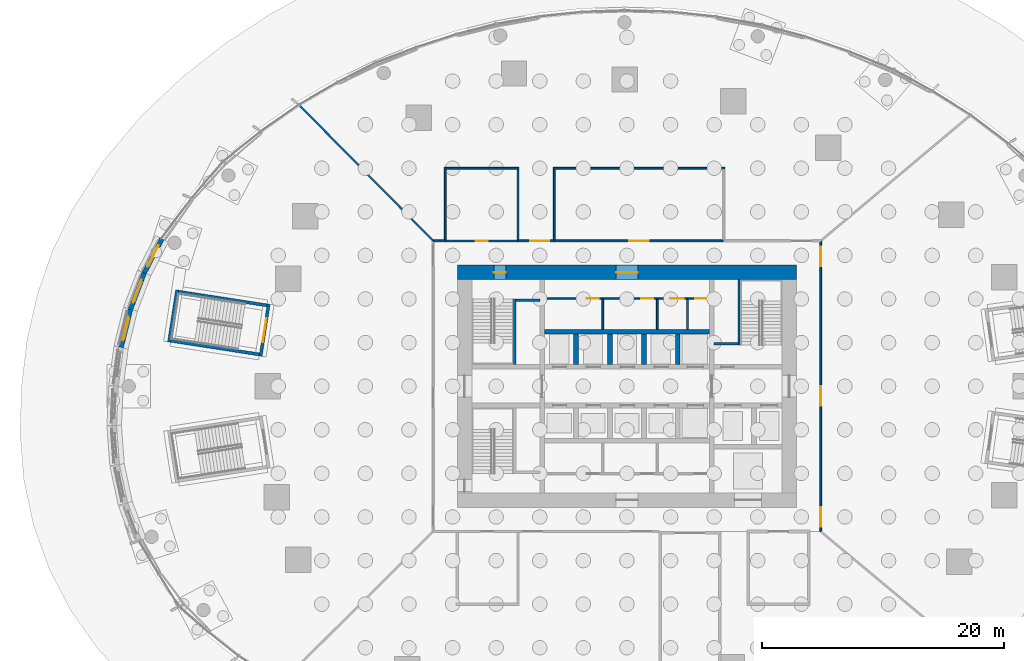
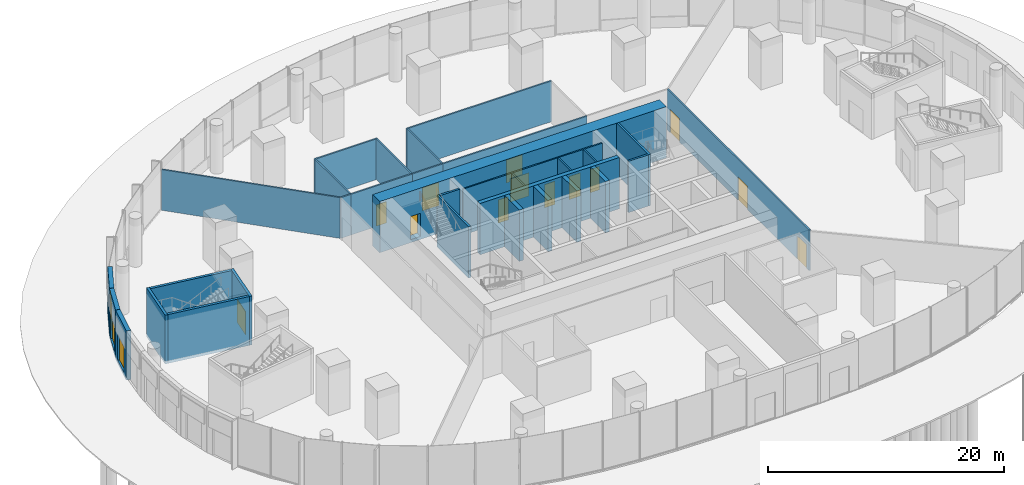
# One storey, part 14 of 29: 32 walls, 16 doors, 16 openings.
"""IFC4 building model written with IfcOpenShell, lengths in metres."""

import ifcopenshell
import ifcopenshell.guid

model = None  # the IFC model being written
_history = None  # IfcOwnerHistory: only IFC2X3 demands one
_inside = {}  # id of a spatial element -> (the spatial element, [elements in it])
_under = {}  # id of a project, library or spatial element -> (it, [spatial elements below it])
_declared = {}  # id of a project -> (the project, [libraries it declares])
_typed = {}  # id of a type object -> (the type object, [elements of that type])
_made_of = {}  # id of a material, layer set ... -> (it, [elements and type objects made of it])


def new_model(schema):
    """Start an empty IFC model of exactly this schema.

    Asked for "IFC4X3", IfcOpenShell would pick the latest addendum, in which some entities
    have other attributes; the version numbers below select the first issue.
    IFC2X3 requires an IfcOwnerHistory on every rooted entity: one is made here for all.
    """
    global model, _history
    if schema == "IFC4X3":
        model = ifcopenshell.file(schema_version=(4, 3, 0, 0))
    else:
        model = ifcopenshell.file(schema=schema)
    _inside.clear()
    _under.clear()
    _declared.clear()
    _typed.clear()
    _made_of.clear()
    _history = None
    if model.schema == "IFC2X3":
        org = make("IfcOrganization", Name="unknown")
        user = make(
            "IfcPersonAndOrganization",
            ThePerson=make("IfcPerson", FamilyName="unknown"),
            TheOrganization=org,
        )
        app = make(
            "IfcApplication",
            ApplicationDeveloper=org,
            Version="unknown",
            ApplicationFullName="unknown",
            ApplicationIdentifier="unknown",
        )
        _history = make(
            "IfcOwnerHistory",
            OwningUser=user,
            OwningApplication=app,
            ChangeAction="ADDED",
            CreationDate=0,
        )
    return model


def make(cls, **values):
    """One entity of the class cls with the attributes given. An attribute that is None is left unset."""
    return model.create_entity(
        cls, **{name: value for name, value in values.items() if value is not None}
    )


def rooted(cls, **values):
    """An entity with a GlobalId (a new one), such as an element, a storey or a relation."""
    return make(cls, GlobalId=ifcopenshell.guid.new(), OwnerHistory=_history, **values)


def si_unit(unit_type, name, prefix=None):
    """IfcSIUnit, for example si_unit("LENGTHUNIT", "METRE", prefix="MILLI")."""
    return make("IfcSIUnit", UnitType=unit_type, Prefix=prefix, Name=name)


def assignment(units):
    """IfcUnitAssignment: the units of a project."""
    return None if units is None else make("IfcUnitAssignment", Units=units)


def point(xyz):
    """IfcCartesianPoint."""
    return None if xyz is None else make("IfcCartesianPoint", Coordinates=xyz)


def direction(xyz):
    """IfcDirection."""
    return None if xyz is None else make("IfcDirection", DirectionRatios=xyz)


def frame(location, z_axis=None, x_axis=None):
    """IfcAxis2Placement3D, a coordinate frame: its origin and axes. An axis left out is left unset."""
    return make(
        "IfcAxis2Placement3D",
        Location=point(location),
        Axis=direction(z_axis),
        RefDirection=direction(x_axis),
    )


def frame_2d(location, x_axis=None):
    """IfcAxis2Placement2D, a coordinate frame in the plane: its origin and x axis."""
    return make(
        "IfcAxis2Placement2D", Location=point(location), RefDirection=direction(x_axis)
    )


def origin():
    """The frame at (0, 0, 0) with its axes left unset."""
    return frame((0.0, 0.0, 0.0))


def place(relative_to, where):
    """IfcLocalPlacement: puts the frame where relative to a parent placement (None: the world)."""
    return make(
        "IfcLocalPlacement", PlacementRelTo=relative_to, RelativePlacement=where
    )


def context(
    kind, dimensions, precision=None, world=None, true_north=None, identifier=None
):
    """IfcGeometricRepresentationContext, for example the 3D "Model" context."""
    return make(
        "IfcGeometricRepresentationContext",
        ContextIdentifier=identifier,
        ContextType=kind,
        CoordinateSpaceDimension=dimensions,
        Precision=precision,
        WorldCoordinateSystem=world,
        TrueNorth=true_north,
    )


def subcontext(parent, identifier, kind, view, scale=None):
    """IfcGeometricRepresentationSubContext, for example "Body" below "Model"."""
    return make(
        "IfcGeometricRepresentationSubContext",
        ContextIdentifier=identifier,
        ContextType=kind,
        ParentContext=parent,
        TargetScale=scale,
        TargetView=view,
    )


def project(units=None, contexts=None):
    """IfcProject with its units and contexts."""
    return rooted(
        "IfcProject",
        Name="project",
        RepresentationContexts=contexts,
        UnitsInContext=assignment(units),
    )


def spatial(cls, under=None, at=None, **own):
    """A site, building, storey or space (cls), placed at a placement, below another one or the project."""
    s = rooted(cls, ObjectPlacement=at, **own)
    if under is not None:
        _under.setdefault(under.id(), (under, []))[1].append(s)
    return s


def profile(cls, at=None, kind="AREA", **sizes):
    """A parametric profile (cls). Its sizes go by their IFC names, for example OverallWidth=200.0."""
    return make(cls, ProfileType=kind, Position=at, **sizes)


def rectangle(**sizes):
    """IfcRectangleProfileDef."""
    return profile("IfcRectangleProfileDef", **sizes)


def extrude(swept, where, along, depth):
    """IfcExtrudedAreaSolid: the profile swept, set in the frame where, extruded along a direction by depth."""
    return make(
        "IfcExtrudedAreaSolid",
        SweptArea=swept,
        Position=where,
        ExtrudedDirection=direction(along),
        Depth=depth,
    )


def shape(context_of_items, identifier, shape_type, items):
    """IfcShapeRepresentation: the items that make up one representation, for example the "Body"."""
    return make(
        "IfcShapeRepresentation",
        ContextOfItems=context_of_items,
        RepresentationIdentifier=identifier,
        RepresentationType=shape_type,
        Items=items,
    )


def material(Name=None, Category=None):
    """IfcMaterial."""
    return make("IfcMaterial", Name=Name, Category=Category)


def layer(
    of_material, thickness, ventilated=None, Name=None, Category=None, Priority=None
):
    """IfcMaterialLayer: one layer of a wall or slab, of a material (None: an air gap)."""
    return make(
        "IfcMaterialLayer",
        Material=of_material,
        LayerThickness=thickness,
        IsVentilated=ventilated,
        Name=Name,
        Category=Category,
        Priority=Priority,
    )


def layer_set(layers, Name=None):
    """IfcMaterialLayerSet."""
    return make("IfcMaterialLayerSet", MaterialLayers=layers, LayerSetName=Name)


def made_of(thing, what):
    """Note that an element or type object is made of a material, layer set ...; save() writes the relation."""
    if what is not None:
        _made_of.setdefault(what.id(), (what, []))[1].append(thing)
    return thing


def type_object(cls, material=None, **own):
    """A type object (cls), such as IfcWallType, which elements share."""
    return made_of(rooted(cls, **own), material)


def element(
    cls,
    number,
    at=None,
    inside=None,
    cuts=None,
    type_object=None,
    material=None,
    context=None,
    identifier="Body",
    shape_type=None,
    held_by="IfcProductDefinitionShape",
    body=None,
    shapes=None,
    **own,
):
    """One element of the class cls, such as IfcWall. Its Tag is "e" and its number.

    at: its placement. inside: the storey or other place that contains it. cuts: it is an
    opening in that element (IfcRelVoidsElement). A single representation is given by context,
    identifier, shape_type and body (its items); several are given by shapes. held_by: the class
    of the entity that holds the representations. save() writes the other relations.
    """
    e = rooted(cls, Tag="e%d" % number, ObjectPlacement=at, **own)
    if body is not None:
        shapes = [shape(context, identifier, shape_type, body)]
    if shapes is not None:
        e.Representation = make(held_by, Representations=shapes)
    if inside is not None:
        _inside.setdefault(inside.id(), (inside, []))[1].append(e)
    if cuts is not None:
        rooted(
            "IfcRelVoidsElement", RelatingBuildingElement=cuts, RelatedOpeningElement=e
        )
    if type_object is not None:
        _typed.setdefault(type_object.id(), (type_object, []))[1].append(e)
    return made_of(e, material)


def fill(opening, filler):
    """IfcRelFillsElement: the door or window that sits in an opening."""
    return rooted(
        "IfcRelFillsElement",
        RelatingOpeningElement=opening,
        RelatedBuildingElement=filler,
    )


def aggregate(whole, parts):
    """IfcRelAggregates: a whole, such as a stair, and the parts it consists of."""
    return rooted("IfcRelAggregates", RelatingObject=whole, RelatedObjects=parts)


def save(model, path):
    """Write the relations noted so far, then the file.

    IfcRelAggregates (storeys below a building ...), IfcRelContainedInSpatialStructure (elements
    in a storey), IfcRelDefinesByType, IfcRelAssociatesMaterial and IfcRelDeclares: one each for
    every whole, place, type object, material and project.
    """
    for whole, parts in _under.values():
        aggregate(whole, parts)
    for where, things in _inside.values():
        rooted(
            "IfcRelContainedInSpatialStructure",
            RelatedElements=things,
            RelatingStructure=where,
        )
    for kind, things in _typed.values():
        rooted("IfcRelDefinesByType", RelatedObjects=things, RelatingType=kind)
    for what, things in _made_of.values():
        rooted("IfcRelAssociatesMaterial", RelatedObjects=things, RelatingMaterial=what)
    for by, libraries in _declared.values():
        rooted("IfcRelDeclares", RelatingContext=by, RelatedDefinitions=libraries)
    model.write(path)


model = new_model("IFC4")

# Units and contexts
model_context = context("Model", 3, precision=1e-05, world=origin(), true_north=direction((0.0, 1.0)))
body_context = subcontext(model_context, "Body", "Model", "MODEL_VIEW")
ifc_project = project(units=[si_unit("LENGTHUNIT", "METRE"), si_unit("AREAUNIT", "SQUARE_METRE"), si_unit("VOLUMEUNIT", "CUBIC_METRE"), si_unit("PLANEANGLEUNIT", "RADIAN"), si_unit("MASSUNIT", "GRAM", prefix="KILO")], contexts=[model_context])

# Site, building, storey
site_placement = place(None, origin())
site = spatial("IfcSite", under=ifc_project, at=site_placement, CompositionType="ELEMENT")
building_placement = place(site_placement, origin())
building = spatial("IfcBuilding", under=site, at=building_placement, Name="Ghaith Harvest Tower", CompositionType="ELEMENT")
storey_placement = place(building_placement, origin())
storey = spatial("IfcBuildingStorey", under=building, at=storey_placement, Name="L00", CompositionType="ELEMENT", Elevation=0.0)

# Wall, openings, doors
ifc_material_1 = material(Name="Concrete blockwork, fair-faced", Category="masonry")
ifc_layer_1 = layer(ifc_material_1, 0.139892578125)
ifc_layer_set_1 = layer_set([ifc_layer_1], Name="CORE PARTITION 140")
wall_type_1 = type_object("IfcWallType", Name="CORE PARTITION 140", PredefinedType="PARTITIONING", material=ifc_layer_set_1)
wall_1_placement = place(storey_placement, frame((-6.800048828125, 7.22998046875, 0.0), z_axis=(0.0, 0.0, 1.0), x_axis=(1.0, 0.0, 0.0)))
wall_1 = element("IfcWall", 1, at=wall_1_placement, inside=storey, type_object=wall_type_1, Name="Core partition L00", PredefinedType="PARTITIONING", context=body_context, shape_type="SweptSolid", body=[
    extrude(rectangle(XDim=13.60009765625, YDim=0.139892578125, at=frame_2d((6.800048828125, 0.0))), origin(), (0.0, 0.0, 1.0), 4.75),
])
opening_1_placement = place(wall_1_placement, frame((3.47998046875, 0.0, 0.0)))
opening_1 = element("IfcOpeningElement", 2, at=opening_1_placement, cuts=wall_1, Name="Opening 00-008", PredefinedType="OPENING", context=body_context, shape_type="SweptSolid", body=[
    extrude(rectangle(XDim=1.0, YDim=2.39990234375, at=frame_2d((0.5, 1.199951171875))), frame((0.0, 0.080078125, 0.0), z_axis=(0.0, -1.0, 0.0), x_axis=(1.0, 0.0, 0.0)), (0.0, 0.0, 1.0), 0.159912109375),
])
opening_2_placement = place(wall_1_placement, frame((7.97998046875, 0.0, 0.0)))
opening_2 = element("IfcOpeningElement", 3, at=opening_2_placement, cuts=wall_1, Name="Opening 00-009", PredefinedType="OPENING", context=body_context, shape_type="SweptSolid", body=[
    extrude(rectangle(XDim=1.0, YDim=2.39990234375, at=frame_2d((0.5, 1.199951171875))), frame((0.0, 0.080078125, 0.0), z_axis=(0.0, -1.0, 0.0), x_axis=(1.0, 0.0, 0.0)), (0.0, 0.0, 1.0), 0.159912109375),
])
opening_3_placement = place(wall_1_placement, frame((10.3798828125, 0.0, 0.0)))
opening_3 = element("IfcOpeningElement", 4, at=opening_3_placement, cuts=wall_1, Name="Opening 00-010", PredefinedType="OPENING", context=body_context, shape_type="SweptSolid", body=[
    extrude(rectangle(XDim=1.10009765625, YDim=2.39990234375, at=frame_2d((0.550048828125, 1.199951171875))), frame((0.0, 0.080078125, 0.0), z_axis=(0.0, -1.0, 0.0), x_axis=(1.0, 0.0, 0.0)), (0.0, 0.0, 1.0), 0.159912109375),
])
opening_4_placement = place(wall_1_placement, frame((12.449951171875, 0.0, 0.0)))
opening_4 = element("IfcOpeningElement", 5, at=opening_4_placement, cuts=wall_1, Name="Opening 00-011", PredefinedType="OPENING", context=body_context, shape_type="SweptSolid", body=[
    extrude(rectangle(XDim=0.89990234375, YDim=2.39990234375, at=frame_2d((0.449951171875, 1.199951171875))), frame((0.0, 0.080078125, 0.0), z_axis=(0.0, -1.0, 0.0), x_axis=(1.0, 0.0, 0.0)), (0.0, 0.0, 1.0), 0.159912109375),
])
ifc_material_2 = material(Name="Steel fire door", Category="steel")
door_type_1 = type_object("IfcDoorType", Name="D3 FD90 1000x2400", OperationType="SINGLE_SWING_LEFT", PredefinedType="DOOR", material=ifc_material_2)
door_1_placement = place(opening_1_placement, origin())
door_1 = element("IfcDoor", 6, at=door_1_placement, inside=storey, type_object=door_type_1, Name="Male WC door", OperationType="SINGLE_SWING_LEFT", OverallHeight=2.39990234375, OverallWidth=1.0, PredefinedType="DOOR", context=body_context, shape_type="SweptSolid", body=[
    extrude(rectangle(XDim=1.0, YDim=2.39990234375, at=frame_2d((0.5, 1.199951171875))), frame((0.0, 0.02490234375, 0.0), z_axis=(0.0, -1.0, 0.0), x_axis=(1.0, 0.0, 0.0)), (0.0, 0.0, 1.0), 0.050048828125),
])
fill(opening_1, door_1)
door_2_placement = place(opening_2_placement, origin())
door_2 = element("IfcDoor", 7, at=door_2_placement, inside=storey, type_object=door_type_1, Name="Female WC door", OperationType="SINGLE_SWING_RIGHT", OverallHeight=2.39990234375, OverallWidth=1.0, PredefinedType="DOOR", context=body_context, shape_type="SweptSolid", body=[
    extrude(rectangle(XDim=1.0, YDim=2.39990234375, at=frame_2d((0.5, 1.199951171875))), frame((0.0, 0.02490234375, 0.0), z_axis=(0.0, -1.0, 0.0), x_axis=(1.0, 0.0, 0.0)), (0.0, 0.0, 1.0), 0.050048828125),
])
fill(opening_2, door_2)
ifc_material_3 = material(Name="Steel fire door", Category="steel")
door_type_2 = type_object("IfcDoorType", Name="D5 FD90 900x2400", OperationType="SINGLE_SWING_LEFT", PredefinedType="DOOR", material=ifc_material_3)
door_3_placement = place(opening_4_placement, origin())
door_3 = element("IfcDoor", 8, at=door_3_placement, inside=storey, type_object=door_type_2, Name="Cleaner's store door", OperationType="SINGLE_SWING_RIGHT", OverallHeight=2.39990234375, OverallWidth=0.89990234375, PredefinedType="DOOR", context=body_context, shape_type="SweptSolid", body=[
    extrude(rectangle(XDim=0.89990234375, YDim=2.39990234375, at=frame_2d((0.449951171875, 1.199951171875))), frame((0.0, 0.02490234375, 0.0), z_axis=(0.0, -1.0, 0.0), x_axis=(1.0, 0.0, 0.0)), (0.0, 0.0, 1.0), 0.050048828125),
])
fill(opening_4, door_3)
ifc_material_4 = material(Name="Steel fire door", Category="steel")
door_type_3 = type_object("IfcDoorType", Name="D9 FD90 1100x2400", OperationType="SINGLE_SWING_LEFT", PredefinedType="DOOR", material=ifc_material_4)
door_4_placement = place(opening_3_placement, origin())
door_4 = element("IfcDoor", 9, at=door_4_placement, inside=storey, type_object=door_type_3, Name="Accessible WC door", OperationType="SINGLE_SWING_RIGHT", OverallHeight=2.39990234375, OverallWidth=1.10009765625, PredefinedType="DOOR", context=body_context, shape_type="SweptSolid", body=[
    extrude(rectangle(XDim=1.10009765625, YDim=2.39990234375, at=frame_2d((0.550048828125, 1.199951171875))), frame((0.0, 0.02490234375, 0.0), z_axis=(0.0, -1.0, 0.0), x_axis=(1.0, 0.0, 0.0)), (0.0, 0.0, 1.0), 0.050048828125),
])
fill(opening_3, door_4)

# Walls
for number, where, z_axis, x_axis, name in (
    (10, (-2.0, 4.699951171875, 0.0), (0.0, 0.0, 1.0), (0.0, 1.0, 0.0), "Core partition L00"),
    (11, (2.5, 4.699951171875, 0.0), (0.0, 0.0, 1.0), (0.0, 1.0, 0.0), "Core partition L00"),
    (12, (5.0, 4.699951171875, 0.0), (0.0, 0.0, 1.0), (0.0, 1.0, 0.0), "Core partition L00"),
):
    element("IfcWall", number, at=place(storey_placement, frame(where, z_axis=z_axis, x_axis=x_axis)), inside=storey, type_object=wall_type_1, Name=name, PredefinedType="PARTITIONING", context=body_context, shape_type="SweptSolid", body=[
        extrude(rectangle(XDim=2.4599609375, YDim=0.139892578125, at=frame_2d((1.22998046875, 0.0))), origin(), (0.0, 0.0, 1.0), 4.75),
    ])

# Wall, openings, doors
ifc_material_5 = material(Name="Concrete C70/85", Category="concrete")
ifc_layer_2 = layer(ifc_material_5, 1.199951171875)
ifc_layer_set_2 = layer_set([ifc_layer_2], Name="CORE WALL CW1200")
wall_type_2 = type_object("IfcWallType", Name="CORE WALL CW1200", PredefinedType="SHEAR", material=ifc_layer_set_2)
wall_2_placement = place(storey_placement, frame((14.0, 9.39990234375, -0.300048828125), z_axis=(0.0, 0.0, 1.0), x_axis=(-1.0, 0.0, 0.0)))
wall_2 = element("IfcWall", 13, at=wall_2_placement, inside=storey, type_object=wall_type_2, Name="Core wall N L00", PredefinedType="SHEAR", context=body_context, shape_type="SweptSolid", body=[
    extrude(rectangle(XDim=28.0, YDim=1.199951171875, at=frame_2d((14.0, 0.0))), origin(), (0.0, 0.0, 1.0), 5.300048828125),
])
opening_5_placement = place(wall_2_placement, frame((24.0, 0.0, 0.300048828125)))
opening_5 = element("IfcOpeningElement", 14, at=opening_5_placement, cuts=wall_2, Name="Opening 00-005", PredefinedType="OPENING", context=body_context, shape_type="SweptSolid", body=[
    extrude(rectangle(XDim=1.0, YDim=2.39990234375, at=frame_2d((0.5, 1.199951171875))), frame((0.0, 0.60986328125, 0.0), z_axis=(0.0, -1.0, 0.0), x_axis=(1.0, 0.0, 0.0)), (0.0, 0.0, 1.0), 1.219970703125),
])
opening_6_placement = place(wall_2_placement, frame((13.10009765625, 0.0, 0.300048828125)))
opening_6 = element("IfcOpeningElement", 15, at=opening_6_placement, cuts=wall_2, Name="Opening 00-015", PredefinedType="OPENING", context=body_context, shape_type="SweptSolid", body=[
    extrude(rectangle(XDim=1.800048828125, YDim=2.39990234375, at=frame_2d((0.89990234375, 1.199951171875))), frame((0.0, 0.60986328125, 0.0), z_axis=(0.0, -1.0, 0.0), x_axis=(1.0, 0.0, 0.0)), (0.0, 0.0, 1.0), 1.219970703125),
])
door_5_placement = place(opening_5_placement, origin())
door_5 = element("IfcDoor", 16, at=door_5_placement, inside=storey, type_object=door_type_1, Name="Stair ST1 door", OperationType="SINGLE_SWING_RIGHT", OverallHeight=2.39990234375, OverallWidth=1.0, PredefinedType="DOOR", context=body_context, shape_type="SweptSolid", body=[
    extrude(rectangle(XDim=1.0, YDim=2.39990234375, at=frame_2d((0.5, 1.199951171875))), frame((0.0, 0.02490234375, 0.0), z_axis=(0.0, -1.0, 0.0), x_axis=(1.0, 0.0, 0.0)), (0.0, 0.0, 1.0), 0.050048828125),
])
fill(opening_5, door_5)
ifc_material_6 = material(Name="Steel fire door", Category="steel")
door_type_4 = type_object("IfcDoorType", Name="D4 FD90 PAIR 1800x2400", OperationType="DOUBLE_DOOR_SINGLE_SWING", PredefinedType="DOOR", material=ifc_material_6)
door_6_placement = place(opening_6_placement, origin())
door_6 = element("IfcDoor", 17, at=door_6_placement, inside=storey, type_object=door_type_4, Name="Core service corridor doors", OperationType="DOUBLE_DOOR_SINGLE_SWING", OverallHeight=2.39990234375, OverallWidth=1.800048828125, PredefinedType="DOOR", context=body_context, shape_type="SweptSolid", body=[
    extrude(rectangle(XDim=1.800048828125, YDim=2.39990234375, at=frame_2d((0.89990234375, 1.199951171875))), frame((0.0, 0.02490234375, 0.0), z_axis=(0.0, -1.0, 0.0), x_axis=(1.0, 0.0, 0.0)), (0.0, 0.0, 1.0), 0.050048828125),
])
fill(opening_6, door_6)

# Wall, opening, door
ifc_material_7 = material(Name="Concrete C40/50, board-marked", Category="concrete")
ifc_layer_3 = layer(ifc_material_7, 0.39990234375)
ifc_layer_set_3 = layer_set([ifc_layer_3], Name="ENTRANCE PORTAL WALL 400")
wall_type_3 = type_object("IfcWallType", Name="ENTRANCE PORTAL WALL 400", PredefinedType="SOLIDWALL", material=ifc_layer_set_3)
wall_3_placement = place(storey_placement, frame((-38.403564453125, 12.1708984375, -0.300048828125), z_axis=(0.0, 0.0, 1.0), x_axis=(-0.461376859652, -0.887204256853, 0.0)))
wall_3 = element("IfcWall", 18, at=wall_3_placement, inside=storey, type_object=wall_type_3, Name="Entrance portal wall 10.1", PredefinedType="SOLIDWALL", context=body_context, shape_type="SweptSolid", body=[
    extrude(rectangle(XDim=3.1865234375, YDim=0.39990234375, at=frame_2d((1.59326171875, 0.0))), origin(), (0.0, 0.0, 1.0), 5.080078125),
])
opening_7_placement = place(wall_3_placement, frame((0.59326171875, 0.0, 0.300048828125)))
opening_7 = element("IfcOpeningElement", 19, at=opening_7_placement, cuts=wall_3, Name="Opening ED101", PredefinedType="OPENING", context=body_context, shape_type="SweptSolid", body=[
    extrude(rectangle(XDim=2.0, YDim=2.699951171875, at=frame_2d((1.0, 1.35009765625))), frame((0.0, 0.2099609375, 0.0), z_axis=(0.0, -1.0, 0.0), x_axis=(1.0, 0.0, 0.0)), (0.0, 0.0, 1.0), 0.419921875),
])
ifc_material_8 = material(Name="Steel and glass, black", Category="steel")
door_type_5 = type_object("IfcDoorType", Name="ENTRANCE DOOR PAIR 2000x2700", OperationType="DOUBLE_DOOR_DOUBLE_SWING", PredefinedType="DOOR", material=ifc_material_8)
door_7_placement = place(opening_7_placement, origin())
door_7 = element("IfcDoor", 20, at=door_7_placement, inside=storey, type_object=door_type_5, Name="Entrance doors 10.1", OperationType="DOUBLE_DOOR_DOUBLE_SWING", OverallHeight=2.699951171875, OverallWidth=2.0, PredefinedType="DOOR", context=body_context, shape_type="SweptSolid", body=[
    extrude(rectangle(XDim=2.0, YDim=2.699951171875, at=frame_2d((1.0, 1.35009765625))), frame((0.0, 0.02490234375, 0.0), z_axis=(0.0, -1.0, 0.0), x_axis=(1.0, 0.0, 0.0)), (0.0, 0.0, 1.0), 0.050048828125),
])
fill(opening_7, door_7)

wall_4_placement = place(storey_placement, frame((-39.873779296875, 9.34375, -0.300048828125), z_axis=(0.0, 0.0, 1.0), x_axis=(-0.352216020917, -0.935918732909, 0.0)))
wall_4 = element("IfcWall", 21, at=wall_4_placement, inside=storey, type_object=wall_type_3, Name="Entrance portal wall 10.2", PredefinedType="SOLIDWALL", context=body_context, shape_type="SweptSolid", body=[
    extrude(rectangle(XDim=3.207275390625, YDim=0.39990234375, at=frame_2d((1.603515625, 0.0))), origin(), (0.0, 0.0, 1.0), 5.080078125),
])
opening_8_placement = place(wall_4_placement, frame((0.603515625, 0.0, 0.300048828125)))
opening_8 = element("IfcOpeningElement", 22, at=opening_8_placement, cuts=wall_4, Name="Opening ED102", PredefinedType="OPENING", context=body_context, shape_type="SweptSolid", body=[
    extrude(rectangle(XDim=2.0, YDim=2.699951171875, at=frame_2d((1.0, 1.35009765625))), frame((0.0, 0.2099609375, 0.0), z_axis=(0.0, -1.0, 0.0), x_axis=(1.0, 0.0, 0.0)), (0.0, 0.0, 1.0), 0.419921875),
])
door_8_placement = place(opening_8_placement, origin())
door_8 = element("IfcDoor", 23, at=door_8_placement, inside=storey, type_object=door_type_5, Name="Entrance doors 10.2", OperationType="DOUBLE_DOOR_DOUBLE_SWING", OverallHeight=2.699951171875, OverallWidth=2.0, PredefinedType="DOOR", context=body_context, shape_type="SweptSolid", body=[
    extrude(rectangle(XDim=2.0, YDim=2.699951171875, at=frame_2d((1.0, 1.35009765625))), frame((0.0, 0.02490234375, 0.0), z_axis=(0.0, -1.0, 0.0), x_axis=(1.0, 0.0, 0.0)), (0.0, 0.0, 1.0), 0.050048828125),
])
fill(opening_8, door_8)

wall_5_placement = place(storey_placement, frame((-41.00341796875, 6.342041015625, -0.300048828125), z_axis=(0.0, 0.0, 1.0), x_axis=(-0.238416966646, -0.971162885419, 0.0)))
wall_5 = element("IfcWall", 24, at=wall_5_placement, inside=storey, type_object=wall_type_3, Name="Entrance portal wall 10.3", PredefinedType="SOLIDWALL", context=body_context, shape_type="SweptSolid", body=[
    extrude(rectangle(XDim=3.2236328125, YDim=0.39990234375, at=frame_2d((1.61181640625, 0.0))), origin(), (0.0, 0.0, 1.0), 5.080078125),
])
opening_9_placement = place(wall_5_placement, frame((0.61181640625, 0.0, 0.300048828125)))
opening_9 = element("IfcOpeningElement", 25, at=opening_9_placement, cuts=wall_5, Name="Opening ED103", PredefinedType="OPENING", context=body_context, shape_type="SweptSolid", body=[
    extrude(rectangle(XDim=2.0, YDim=2.699951171875, at=frame_2d((1.0, 1.35009765625))), frame((0.0, 0.2099609375, 0.0), z_axis=(0.0, -1.0, 0.0), x_axis=(1.0, 0.0, 0.0)), (0.0, 0.0, 1.0), 0.419921875),
])
door_9_placement = place(opening_9_placement, origin())
door_9 = element("IfcDoor", 26, at=door_9_placement, inside=storey, type_object=door_type_5, Name="Entrance doors 10.3", OperationType="DOUBLE_DOOR_DOUBLE_SWING", OverallHeight=2.699951171875, OverallWidth=2.0, PredefinedType="DOOR", context=body_context, shape_type="SweptSolid", body=[
    extrude(rectangle(XDim=2.0, YDim=2.699951171875, at=frame_2d((1.0, 1.35009765625))), frame((0.0, 0.02490234375, 0.0), z_axis=(0.0, -1.0, 0.0), x_axis=(1.0, 0.0, 0.0)), (0.0, 0.0, 1.0), 0.050048828125),
])
fill(opening_9, door_9)

# Walls
ifc_material_9 = material(Name="Gypsum board on steel studs", Category="steel")
ifc_layer_4 = layer(ifc_material_9, 0.14990234375)
ifc_layer_set_4 = layer_set([ifc_layer_4], Name="PARTITION 150")
wall_type_4 = type_object("IfcWallType", Name="PARTITION 150", PredefinedType="PARTITIONING", material=ifc_layer_set_4)
wall_6_placement = place(storey_placement, frame((-16.013916015625, 12.01416015625, 0.0), z_axis=(0.0, 0.0, 1.0), x_axis=(-0.702408551969, 0.711773999329, 0.0)))
element("IfcWall", 27, at=wall_6_placement, inside=storey, type_object=wall_type_4, Name="Partition L00 zone division", PredefinedType="PARTITIONING", context=body_context, shape_type="SweptSolid", body=[
    extrude(rectangle(XDim=15.640869140625, YDim=0.14990234375, at=frame_2d((7.8203125, 0.0))), origin(), (0.0, 0.0, 1.0), 4.199951171875),
])
wall_7_placement = place(storey_placement, frame((-15.0, 12.0, 0.0), z_axis=(0.0, 0.0, 1.0), x_axis=(-1.0, 0.0, 0.0)))
element("IfcWall", 28, at=wall_7_placement, inside=storey, type_object=wall_type_4, Name="Partition L00 zone enclosure", PredefinedType="PARTITIONING", context=body_context, shape_type="SweptSolid", body=[
    extrude(rectangle(XDim=1.0, YDim=0.14990234375, at=frame_2d((0.5, 0.0))), origin(), (0.0, 0.0, 1.0), 4.199951171875),
])

# Wall, opening, door
wall_8_placement = place(storey_placement, frame((-6.0, 12.0, 0.0), z_axis=(0.0, 0.0, 1.0), x_axis=(-1.0, 0.0, 0.0)))
wall_8 = element("IfcWall", 29, at=wall_8_placement, inside=storey, type_object=wall_type_4, Name="Partition L00 zone enclosure", PredefinedType="PARTITIONING", context=body_context, shape_type="SweptSolid", body=[
    extrude(rectangle(XDim=3.0, YDim=0.14990234375, at=frame_2d((1.5, 0.0))), origin(), (0.0, 0.0, 1.0), 4.199951171875),
])
opening_10_placement = place(wall_8_placement, frame((0.39990234375, 0.0, 0.0)))
opening_10 = element("IfcOpeningElement", 30, at=opening_10_placement, cuts=wall_8, Name="Opening 00-039", PredefinedType="OPENING", context=body_context, shape_type="SweptSolid", body=[
    extrude(rectangle(XDim=1.60009765625, YDim=2.39990234375, at=frame_2d((0.800048828125, 1.199951171875))), frame((0.0, 0.0849609375, 0.0), z_axis=(0.0, -1.0, 0.0), x_axis=(1.0, 0.0, 0.0)), (0.0, 0.0, 1.0), 0.169921875),
])
ifc_material_10 = material(Name="Timber door", Category="wood")
door_type_6 = type_object("IfcDoorType", Name="D2 PAIR 1600x2400", OperationType="DOUBLE_DOOR_SINGLE_SWING", PredefinedType="DOOR", material=ifc_material_10)
door_10_placement = place(opening_10_placement, origin())
door_10 = element("IfcDoor", 31, at=door_10_placement, inside=storey, type_object=door_type_6, Name="Farm market north door", OperationType="DOUBLE_DOOR_SINGLE_SWING", OverallHeight=2.39990234375, OverallWidth=1.60009765625, PredefinedType="DOOR", context=body_context, shape_type="SweptSolid", body=[
    extrude(rectangle(XDim=1.60009765625, YDim=2.39990234375, at=frame_2d((0.800048828125, 1.199951171875))), frame((0.0, 0.02490234375, 0.0), z_axis=(0.0, -1.0, 0.0), x_axis=(1.0, 0.0, 0.0)), (0.0, 0.0, 1.0), 0.050048828125),
])
fill(opening_10, door_10)

# Wall, openings, doors
wall_9_placement = place(storey_placement, frame((16.0, -12.0, 0.0), z_axis=(0.0, 0.0, 1.0), x_axis=(0.0, 1.0, 0.0)))
wall_9 = element("IfcWall", 32, at=wall_9_placement, inside=storey, type_object=wall_type_4, Name="Partition L00 zone enclosure", PredefinedType="PARTITIONING", context=body_context, shape_type="SweptSolid", body=[
    extrude(rectangle(XDim=24.0, YDim=0.14990234375, at=frame_2d((12.0, 0.0))), origin(), (0.0, 0.0, 1.0), 4.199951171875),
])
opening_11_placement = place(wall_9_placement, frame((10.39990234375, 0.0, 0.0)))
opening_11 = element("IfcOpeningElement", 33, at=opening_11_placement, cuts=wall_9, Name="Opening 00-041", PredefinedType="OPENING", context=body_context, shape_type="SweptSolid", body=[
    extrude(rectangle(XDim=1.60009765625, YDim=2.39990234375, at=frame_2d((0.800048828125, 1.199951171875))), frame((0.0, 0.0849609375, 0.0), z_axis=(0.0, -1.0, 0.0), x_axis=(1.0, 0.0, 0.0)), (0.0, 0.0, 1.0), 0.169921875),
])
opening_12_placement = place(wall_9_placement, frame((21.89990234375, 0.0, 0.0)))
opening_12 = element("IfcOpeningElement", 34, at=opening_12_placement, cuts=wall_9, Name="Opening 00-042", PredefinedType="OPENING", context=body_context, shape_type="SweptSolid", body=[
    extrude(rectangle(XDim=1.60009765625, YDim=2.39990234375, at=frame_2d((0.800048828125, 1.199951171875))), frame((0.0, 0.0849609375, 0.0), z_axis=(0.0, -1.0, 0.0), x_axis=(1.0, 0.0, 0.0)), (0.0, 0.0, 1.0), 0.169921875),
])
opening_13_placement = place(wall_9_placement, frame((0.39990234375, 0.0, 0.0)))
opening_13 = element("IfcOpeningElement", 35, at=opening_13_placement, cuts=wall_9, Name="Opening 00-043", PredefinedType="OPENING", context=body_context, shape_type="SweptSolid", body=[
    extrude(rectangle(XDim=1.60009765625, YDim=2.39990234375, at=frame_2d((0.800048828125, 1.199951171875))), frame((0.0, 0.0849609375, 0.0), z_axis=(0.0, -1.0, 0.0), x_axis=(1.0, 0.0, 0.0)), (0.0, 0.0, 1.0), 0.169921875),
])
door_11_placement = place(opening_11_placement, origin())
door_11 = element("IfcDoor", 36, at=door_11_placement, inside=storey, type_object=door_type_6, Name="Fresh produce market east door", OperationType="DOUBLE_DOOR_SINGLE_SWING", OverallHeight=2.39990234375, OverallWidth=1.60009765625, PredefinedType="DOOR", context=body_context, shape_type="SweptSolid", body=[
    extrude(rectangle(XDim=1.60009765625, YDim=2.39990234375, at=frame_2d((0.800048828125, 1.199951171875))), frame((0.0, 0.02490234375, 0.0), z_axis=(0.0, -1.0, 0.0), x_axis=(1.0, 0.0, 0.0)), (0.0, 0.0, 1.0), 0.050048828125),
])
fill(opening_11, door_11)
door_12_placement = place(opening_12_placement, origin())
door_12 = element("IfcDoor", 37, at=door_12_placement, inside=storey, type_object=door_type_6, Name="Fresh produce market east door", OperationType="DOUBLE_DOOR_SINGLE_SWING", OverallHeight=2.39990234375, OverallWidth=1.60009765625, PredefinedType="DOOR", context=body_context, shape_type="SweptSolid", body=[
    extrude(rectangle(XDim=1.60009765625, YDim=2.39990234375, at=frame_2d((0.800048828125, 1.199951171875))), frame((0.0, 0.02490234375, 0.0), z_axis=(0.0, -1.0, 0.0), x_axis=(1.0, 0.0, 0.0)), (0.0, 0.0, 1.0), 0.050048828125),
])
fill(opening_12, door_12)
door_13_placement = place(opening_13_placement, origin())
door_13 = element("IfcDoor", 38, at=door_13_placement, inside=storey, type_object=door_type_6, Name="Fresh produce market east door", OperationType="DOUBLE_DOOR_SINGLE_SWING", OverallHeight=2.39990234375, OverallWidth=1.60009765625, PredefinedType="DOOR", context=body_context, shape_type="SweptSolid", body=[
    extrude(rectangle(XDim=1.60009765625, YDim=2.39990234375, at=frame_2d((0.800048828125, 1.199951171875))), frame((0.0, 0.02490234375, 0.0), z_axis=(0.0, -1.0, 0.0), x_axis=(1.0, 0.0, 0.0)), (0.0, 0.0, 1.0), 0.050048828125),
])
fill(opening_13, door_13)

# Wall, opening, door
wall_10_placement = place(storey_placement, frame((-15.074951171875, 12.0, 0.0), z_axis=(0.0, 0.0, 1.0), x_axis=(1.0, 0.0, 0.0)))
wall_10 = element("IfcWall", 39, at=wall_10_placement, inside=storey, type_object=wall_type_4, Name="Partition L00-01", PredefinedType="PARTITIONING", context=body_context, shape_type="SweptSolid", body=[
    extrude(rectangle(XDim=6.14990234375, YDim=0.14990234375, at=frame_2d((3.074951171875, 0.0))), origin(), (0.0, 0.0, 1.0), 4.199951171875),
])
opening_14_placement = place(wall_10_placement, frame((2.574951171875, 0.0, 0.0)))
opening_14 = element("IfcOpeningElement", 40, at=opening_14_placement, cuts=wall_10, Name="Opening 00-034", PredefinedType="OPENING", context=body_context, shape_type="SweptSolid", body=[
    extrude(rectangle(XDim=1.0, YDim=2.199951171875, at=frame_2d((0.5, 1.10009765625))), frame((0.0, 0.0849609375, 0.0), z_axis=(0.0, -1.0, 0.0), x_axis=(1.0, 0.0, 0.0)), (0.0, 0.0, 1.0), 0.169921875),
])
ifc_material_11 = material(Name="Timber door", Category="wood")
door_type_7 = type_object("IfcDoorType", Name="D1 SINGLE 1000x2200", OperationType="SINGLE_SWING_LEFT", PredefinedType="DOOR", material=ifc_material_11)
door_14_placement = place(opening_14_placement, origin())
door_14 = element("IfcDoor", 41, at=door_14_placement, inside=storey, type_object=door_type_7, Name="Fire command centre door", OperationType="SINGLE_SWING_LEFT", OverallHeight=2.199951171875, OverallWidth=1.0, PredefinedType="DOOR", context=body_context, shape_type="SweptSolid", body=[
    extrude(rectangle(XDim=1.0, YDim=2.199951171875, at=frame_2d((0.5, 1.10009765625))), frame((0.0, 0.02490234375, 0.0), z_axis=(0.0, -1.0, 0.0), x_axis=(1.0, 0.0, 0.0)), (0.0, 0.0, 1.0), 0.050048828125),
])
fill(opening_14, door_14)

# Walls
wall_11_placement = place(storey_placement, frame((-15.074951171875, 18.0, 0.0), z_axis=(0.0, 0.0, 1.0), x_axis=(1.0, 0.0, 0.0)))
element("IfcWall", 42, at=wall_11_placement, inside=storey, type_object=wall_type_4, Name="Partition L00-01", PredefinedType="PARTITIONING", context=body_context, shape_type="SweptSolid", body=[
    extrude(rectangle(XDim=6.14990234375, YDim=0.14990234375, at=frame_2d((3.074951171875, 0.0))), origin(), (0.0, 0.0, 1.0), 4.199951171875),
])
for number, where, z_axis, x_axis, name in (
    (43, (-15.0, 12.074951171875, 0.0), (0.0, 0.0, 1.0), (0.0, 1.0, 0.0), "Partition L00-01"),
    (44, (-9.0, 12.074951171875, 0.0), (0.0, 0.0, 1.0), (0.0, 1.0, 0.0), "Partition L00-01"),
):
    element("IfcWall", number, at=place(storey_placement, frame(where, z_axis=z_axis, x_axis=x_axis)), inside=storey, type_object=wall_type_4, Name=name, PredefinedType="PARTITIONING", context=body_context, shape_type="SweptSolid", body=[
        extrude(rectangle(XDim=5.85009765625, YDim=0.14990234375, at=frame_2d((2.925048828125, 0.0))), origin(), (0.0, 0.0, 1.0), 4.199951171875),
    ])

# Wall, opening, door
wall_12_placement = place(storey_placement, frame((-6.074951171875, 12.0, 0.0), z_axis=(0.0, 0.0, 1.0), x_axis=(1.0, 0.0, 0.0)))
wall_12 = element("IfcWall", 45, at=wall_12_placement, inside=storey, type_object=wall_type_4, Name="Partition L00-02", PredefinedType="PARTITIONING", context=body_context, shape_type="SweptSolid", body=[
    extrude(rectangle(XDim=14.14990234375, YDim=0.14990234375, at=frame_2d((7.074951171875, 0.0))), origin(), (0.0, 0.0, 1.0), 4.199951171875),
])
opening_15_placement = place(wall_12_placement, frame((6.27490234375, 0.0, 0.0)))
opening_15 = element("IfcOpeningElement", 46, at=opening_15_placement, cuts=wall_12, Name="Opening 00-035", PredefinedType="OPENING", context=body_context, shape_type="SweptSolid", body=[
    extrude(rectangle(XDim=1.60009765625, YDim=2.39990234375, at=frame_2d((0.800048828125, 1.199951171875))), frame((0.0, 0.0849609375, 0.0), z_axis=(0.0, -1.0, 0.0), x_axis=(1.0, 0.0, 0.0)), (0.0, 0.0, 1.0), 0.169921875),
])
door_15_placement = place(opening_15_placement, origin())
door_15 = element("IfcDoor", 47, at=door_15_placement, inside=storey, type_object=door_type_6, Name="Farm shop door", OperationType="DOUBLE_DOOR_SINGLE_SWING", OverallHeight=2.39990234375, OverallWidth=1.60009765625, PredefinedType="DOOR", context=body_context, shape_type="SweptSolid", body=[
    extrude(rectangle(XDim=1.60009765625, YDim=2.39990234375, at=frame_2d((0.800048828125, 1.199951171875))), frame((0.0, 0.02490234375, 0.0), z_axis=(0.0, -1.0, 0.0), x_axis=(1.0, 0.0, 0.0)), (0.0, 0.0, 1.0), 0.050048828125),
])
fill(opening_15, door_15)

# Walls
wall_13_placement = place(storey_placement, frame((-6.074951171875, 18.0, 0.0), z_axis=(0.0, 0.0, 1.0), x_axis=(1.0, 0.0, 0.0)))
element("IfcWall", 48, at=wall_13_placement, inside=storey, type_object=wall_type_4, Name="Partition L00-02", PredefinedType="PARTITIONING", context=body_context, shape_type="SweptSolid", body=[
    extrude(rectangle(XDim=14.14990234375, YDim=0.14990234375, at=frame_2d((7.074951171875, 0.0))), origin(), (0.0, 0.0, 1.0), 4.199951171875),
])
wall_14_placement = place(storey_placement, frame((-6.0, 12.074951171875, 0.0), z_axis=(0.0, 0.0, 1.0), x_axis=(0.0, 1.0, 0.0)))
element("IfcWall", 49, at=wall_14_placement, inside=storey, type_object=wall_type_4, Name="Partition L00-02", PredefinedType="PARTITIONING", context=body_context, shape_type="SweptSolid", body=[
    extrude(rectangle(XDim=5.85009765625, YDim=0.14990234375, at=frame_2d((2.925048828125, 0.0))), origin(), (0.0, 0.0, 1.0), 4.199951171875),
])
ifc_material_12 = material(Name="Concrete C70/85", Category="concrete")
ifc_layer_5 = layer(ifc_material_12, 0.39990234375)
ifc_layer_set_5 = layer_set([ifc_layer_5], Name="SHAFT WALL 400")
wall_type_5 = type_object("IfcWallType", Name="SHAFT WALL 400", PredefinedType="SHEAR", material=ifc_layer_set_5)
wall_15_placement = place(storey_placement, frame((-6.800048828125, 4.5, -0.300048828125), z_axis=(0.0, 0.0, 1.0), x_axis=(1.0, 0.0, 0.0)))
element("IfcWall", 50, at=wall_15_placement, inside=storey, type_object=wall_type_5, Name="Shaft wall BN L00", PredefinedType="SHEAR", context=body_context, shape_type="SweptSolid", body=[
    extrude(rectangle(XDim=13.60009765625, YDim=0.39990234375, at=frame_2d((6.800048828125, 0.0))), origin(), (0.0, 0.0, 1.0), 5.300048828125),
])
for number, where, z_axis, x_axis, name in (
    (51, (-4.199951171875, 1.800048828125, -0.300048828125), (0.0, 0.0, 1.0), (0.0, 1.0, 0.0), "Shaft wall DN1 L00"),
    (52, (-1.39990234375, 1.800048828125, -0.300048828125), (0.0, 0.0, 1.0), (0.0, 1.0, 0.0), "Shaft wall DN2 L00"),
    (53, (1.39990234375, 1.800048828125, -0.300048828125), (0.0, 0.0, 1.0), (0.0, 1.0, 0.0), "Shaft wall DN3 L00"),
    (54, (4.199951171875, 1.800048828125, -0.300048828125), (0.0, 0.0, 1.0), (0.0, 1.0, 0.0), "Shaft wall DN4 L00"),
):
    element("IfcWall", number, at=place(storey_placement, frame(where, z_axis=z_axis, x_axis=x_axis)), inside=storey, type_object=wall_type_5, Name=name, PredefinedType="SHEAR", context=body_context, shape_type="SweptSolid", body=[
        extrude(rectangle(XDim=2.5, YDim=0.39990234375, at=frame_2d((1.25, 0.0))), origin(), (0.0, 0.0, 1.0), 5.300048828125),
    ])

# Wall, opening, door
ifc_material_13 = material(Name="Concrete C40/50", Category="concrete")
ifc_layer_6 = layer(ifc_material_13, 0.25)
ifc_layer_set_6 = layer_set([ifc_layer_6], Name="STAIR ENCLOSURE WALL RC250")
wall_type_6 = type_object("IfcWallType", Name="STAIR ENCLOSURE WALL RC250", PredefinedType="SOLIDWALL", material=ifc_layer_set_6)
wall_16_placement = place(storey_placement, frame((-29.5869140625, 6.777099609375, -0.300048828125), z_axis=(0.0, 0.0, 1.0), x_axis=(-0.152820464277, -0.988253968218, 0.0)))
wall_16 = element("IfcWall", 55, at=wall_16_placement, inside=storey, type_object=wall_type_6, Name="Stair PS2 enclosure wall L00", PredefinedType="SOLIDWALL", context=body_context, shape_type="SweptSolid", body=[
    extrude(rectangle(XDim=4.35009765625, YDim=0.25, at=frame_2d((2.175048828125, 0.0))), origin(), (0.0, 0.0, 1.0), 5.050048828125),
])
opening_16_placement = place(wall_16_placement, frame((1.175048828125, 0.0, 0.300048828125)))
opening_16 = element("IfcOpeningElement", 56, at=opening_16_placement, cuts=wall_16, Name="Opening 00-031", PredefinedType="OPENING", context=body_context, shape_type="SweptSolid", body=[
    extrude(rectangle(XDim=2.0, YDim=2.39990234375, at=frame_2d((1.0, 1.199951171875))), frame((0.0, 0.135009765625, 0.0), z_axis=(0.0, -1.0, 0.0), x_axis=(1.0, 0.0, 0.0)), (0.0, 0.0, 1.0), 0.27001953125),
])
ifc_material_14 = material(Name="Steel fire door", Category="steel")
door_type_8 = type_object("IfcDoorType", Name="D8 FD90 PAIR 2000x2400", OperationType="DOUBLE_DOOR_SINGLE_SWING", PredefinedType="DOOR", material=ifc_material_14)
door_16_placement = place(opening_16_placement, origin())
door_16 = element("IfcDoor", 57, at=door_16_placement, inside=storey, type_object=door_type_8, Name="Stair PS2 doors", OperationType="DOUBLE_DOOR_SINGLE_SWING", OverallHeight=2.39990234375, OverallWidth=2.0, PredefinedType="DOOR", context=body_context, shape_type="SweptSolid", body=[
    extrude(rectangle(XDim=2.0, YDim=2.39990234375, at=frame_2d((1.0, 1.199951171875))), frame((0.0, 0.02490234375, 0.0), z_axis=(0.0, -1.0, 0.0), x_axis=(1.0, 0.0, 0.0)), (0.0, 0.0, 1.0), 0.050048828125),
])
fill(opening_16, door_16)

# Walls
wall_17_placement = place(storey_placement, frame((-37.811767578125, 3.6474609375, -0.300048828125), z_axis=(0.0, 0.0, 1.0), x_axis=(0.152828940605, 0.988252657428, 0.0)))
element("IfcWall", 58, at=wall_17_placement, inside=storey, type_object=wall_type_6, Name="Stair PS2 enclosure wall L00", PredefinedType="SOLIDWALL", context=body_context, shape_type="SweptSolid", body=[
    extrude(rectangle(XDim=4.349853515625, YDim=0.25, at=frame_2d((2.1748046875, 0.0))), origin(), (0.0, 0.0, 1.0), 5.050048828125),
])
for number, where, z_axis, x_axis, name in (
    (59, (-29.7294921875, 6.672607421875, -0.300048828125), (0.0, 0.0, 1.0), (-0.988248943707, 0.152852953068, 0.0), "Stair PS2 enclosure wall L00"),
    (60, (-37.669189453125, 3.751953125, -0.300048828125), (0.0, 0.0, 1.0), (0.988248943707, -0.152852953068, 0.0), "Stair PS2 enclosure wall L00"),
):
    element("IfcWall", number, at=place(storey_placement, frame(where, z_axis=z_axis, x_axis=x_axis)), inside=storey, type_object=wall_type_6, Name=name, PredefinedType="SOLIDWALL", context=body_context, shape_type="SweptSolid", body=[
        extrude(rectangle(XDim=7.39990234375, YDim=0.25, at=frame_2d((3.699951171875, 0.0))), origin(), (0.0, 0.0, 1.0), 5.050048828125),
    ])
ifc_material_15 = material(Name="Concrete C40/50", Category="concrete")
ifc_layer_7 = layer(ifc_material_15, 0.199951171875)
ifc_layer_set_7 = layer_set([ifc_layer_7], Name="STAIR SPINE WALL RC200")
wall_type_7 = type_object("IfcWallType", Name="STAIR SPINE WALL RC200", PredefinedType="SOLIDWALL", material=ifc_layer_set_7)
wall_18_placement = place(storey_placement, frame((-9.25, 7.199951171875, -0.300048828125), z_axis=(0.0, 0.0, 1.0), x_axis=(0.0, -1.0, 0.0)))
element("IfcWall", 61, at=wall_18_placement, inside=storey, type_object=wall_type_7, Name="Stair ST1 spine wall L00", PredefinedType="SOLIDWALL", context=body_context, shape_type="SweptSolid", body=[
    extrude(rectangle(XDim=5.39990234375, YDim=0.199951171875, at=frame_2d((2.699951171875, 0.0))), origin(), (0.0, 0.0, 1.0), 5.300048828125),
])
wall_19_placement = place(storey_placement, frame((-9.14990234375, 7.10009765625, -0.300048828125), z_axis=(0.0, 0.0, 1.0), x_axis=(1.0, 0.0, 0.0)))
element("IfcWall", 62, at=wall_19_placement, inside=storey, type_object=wall_type_7, Name="Stair ST1 spine wall return L00", PredefinedType="SOLIDWALL", context=body_context, shape_type="SweptSolid", body=[
    extrude(rectangle(XDim=1.949951171875, YDim=0.199951171875, at=frame_2d((0.97509765625, 0.0))), origin(), (0.0, 0.0, 1.0), 5.300048828125),
])
wall_20_placement = place(storey_placement, frame((9.25, 3.39990234375, -0.300048828125), z_axis=(0.0, 0.0, 1.0), x_axis=(0.0, 1.0, 0.0)))
element("IfcWall", 63, at=wall_20_placement, inside=storey, type_object=wall_type_7, Name="Stair ST2 spine wall L00", PredefinedType="SOLIDWALL", context=body_context, shape_type="SweptSolid", body=[
    extrude(rectangle(XDim=5.400146484375, YDim=0.199951171875, at=frame_2d((2.7001953125, 0.0))), origin(), (0.0, 0.0, 1.0), 5.300048828125),
])
wall_21_placement = place(storey_placement, frame((9.14990234375, 3.5, -0.300048828125), z_axis=(0.0, 0.0, 1.0), x_axis=(-1.0, 0.0, 0.0)))
element("IfcWall", 64, at=wall_21_placement, inside=storey, type_object=wall_type_7, Name="Stair ST2 spine wall return L00", PredefinedType="SOLIDWALL", context=body_context, shape_type="SweptSolid", body=[
    extrude(rectangle(XDim=1.949951171875, YDim=0.199951171875, at=frame_2d((0.97509765625, 0.0))), origin(), (0.0, 0.0, 1.0), 5.300048828125),
])

save(model, "model.ifc")
